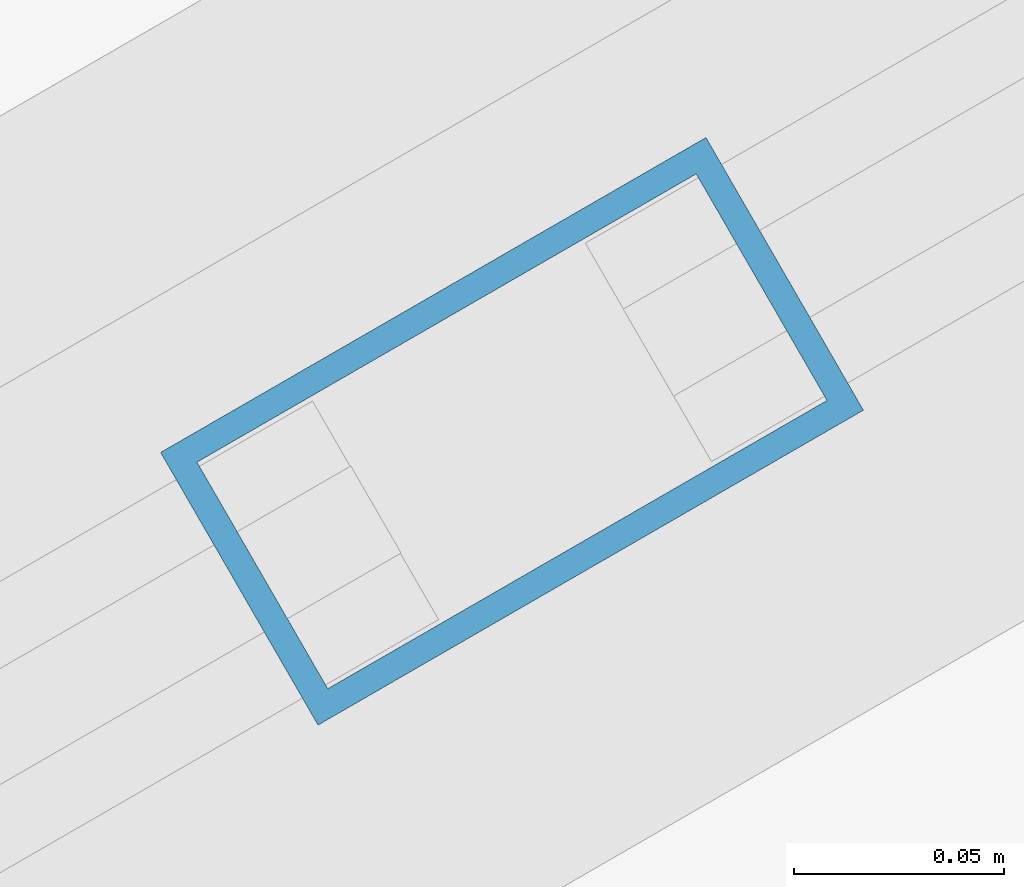
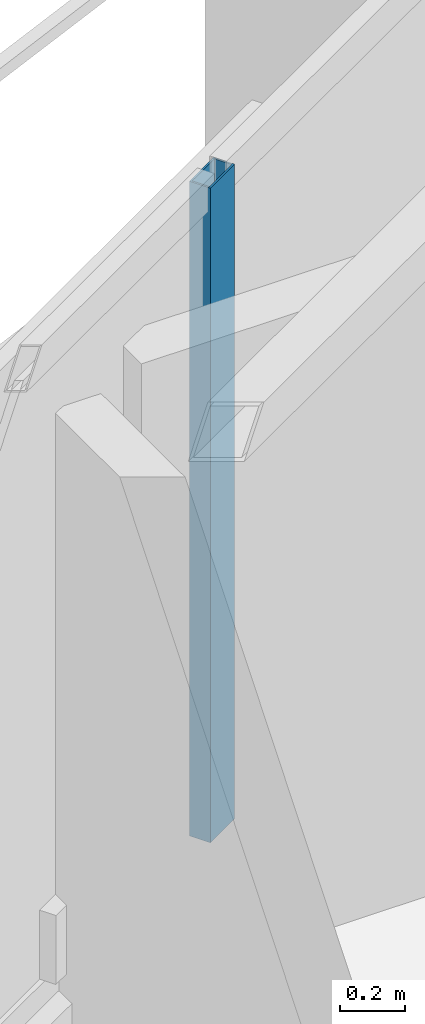
# One storey, part 11 of 22: 1 member, 1 element without a shape of its own.
"""IFC4 building model written with IfcOpenShell, lengths in metres."""

from ifc_helpers import new_model, si_unit, direction, frame, origin, origin_2d, place, context, subcontext, project, spatial, hollow_rectangle, extrude, material, layer, layer_set, material_profile, profile_set, type_object, element, aggregate, save


model = new_model("IFC4")

# Units and contexts
model_context = context("Model", 3, precision=1e-05, world=origin(), true_north=direction((0.0, 1.0)))
body_context = subcontext(model_context, "Body", "Model", "MODEL_VIEW")
ifc_project = project(units=[si_unit("LENGTHUNIT", "METRE"), si_unit("AREAUNIT", "SQUARE_METRE"), si_unit("VOLUMEUNIT", "CUBIC_METRE"), si_unit("PLANEANGLEUNIT", "RADIAN"), si_unit("MASSUNIT", "GRAM", prefix="KILO")], contexts=[model_context])

# Site, building, storey
site_placement = place(None, origin())
site = spatial("IfcSite", under=ifc_project, at=site_placement, CompositionType="ELEMENT")
building_placement = place(site_placement, origin())
building = spatial("IfcBuilding", under=site, at=building_placement, Name="Mersakhor Tower and Convention Hall", CompositionType="ELEMENT")
storey_placement = place(building_placement, frame((0.0, 0.0, 99.89990234375)))
storey = spatial("IfcBuildingStorey", under=building, at=storey_placement, Name="L27", CompositionType="ELEMENT", Elevation=99.89990234375)

# Curtain wall, member
ifc_material_1 = material(Name="Dark solar low-E aluminium curtain wall", Category="aluminium")
ifc_layer = layer(ifc_material_1, 0.159912109375)
ifc_layer_set = layer_set([ifc_layer], Name="Dark solar low-E aluminium curtain wall")
curtain_wall_type = type_object("IfcCurtainWallType", Name="CW-SYS-01", PredefinedType="USERDEFINED", material=ifc_layer_set)
curtain_wall_placement = place(storey_placement, origin())
curtain_wall = element("IfcCurtainWall", 1, at=curtain_wall_placement, inside=storey, type_object=curtain_wall_type, Name="L27 Dark-Glass Curtain Wall F1-B2", ObjectType="CURTAIN WALL", PredefinedType="USERDEFINED")
ifc_material_2 = material(Name="Anodised aluminium EN AW-6063 T6", Category="aluminium")
ifc_material_profile = material_profile(ifc_material_2, hollow_rectangle(XDim=0.074951171875, YDim=0.14990234375, WallThickness=0.00634765625, at=origin_2d()), Name="RHS 150x75x6.3")
ifc_profile_set = profile_set([ifc_material_profile], Name="Anodised aluminium EN AW-6063 T6")
member_type = type_object("IfcMemberType", Name="CWM-150x75", PredefinedType="MULLION", material=ifc_profile_set)
member_placement = place(storey_placement, frame((20.36181640625, 37.968505859375, 0.2001953125), z_axis=(0.0, 0.0, 1.0), x_axis=(-0.499997904985, 0.866026613339, 0.0)))
member = element("IfcMember", 2, at=member_placement, type_object=member_type, Name="CW-01 mullion 2", PredefinedType="MULLION", context=body_context, shape_type="SweptSolid", body=[
    extrude(hollow_rectangle(XDim=0.074951171875, YDim=0.14990234375, WallThickness=0.00634765625, at=origin_2d()), origin(), (0.0, 0.0, 1.0), 2.469970703125),
])
aggregate(curtain_wall, [member])

save(model, "model.ifc")
